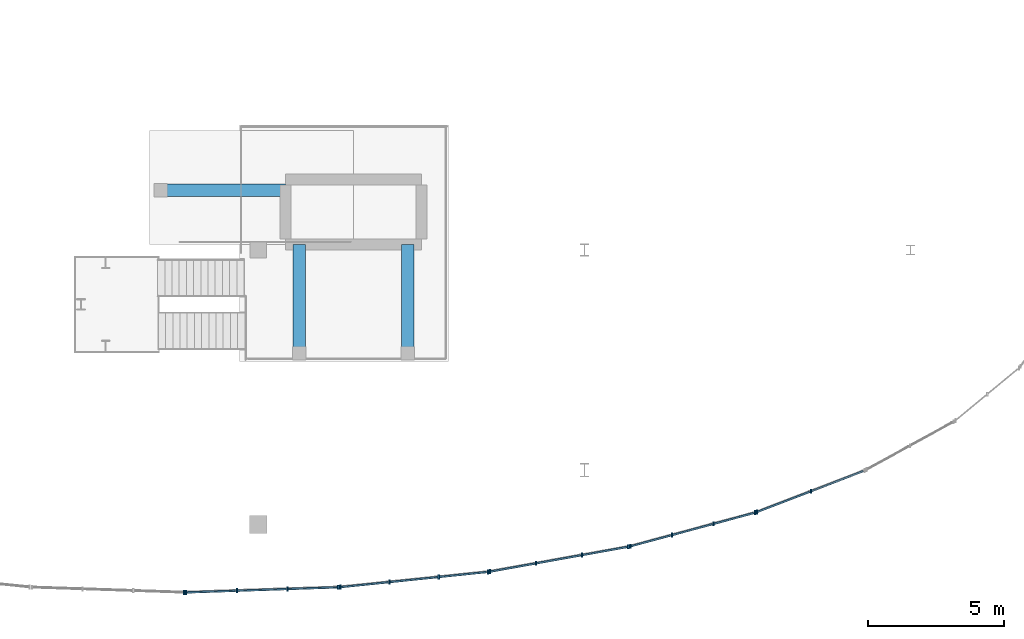
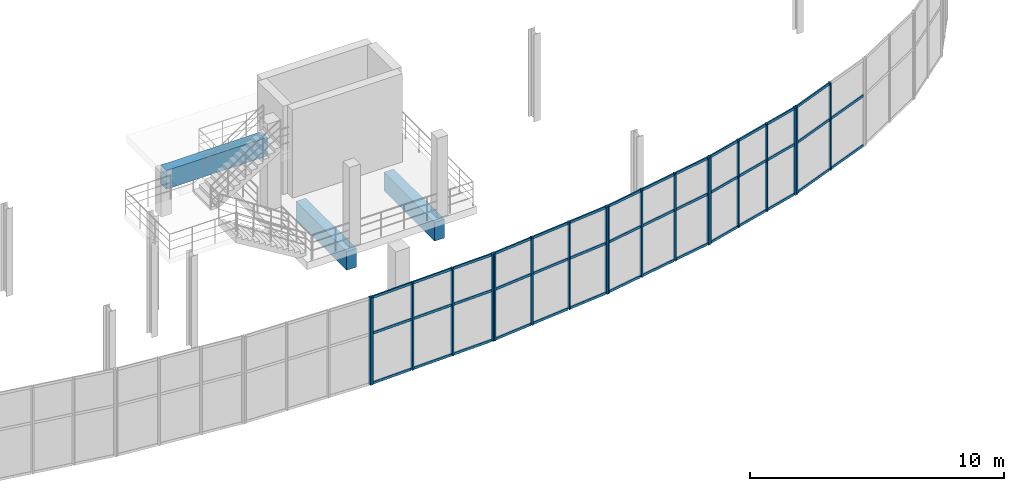
# One storey, part 43 of 89: 60 members, 3 beams, 6 elements without a shape of their own.
"""IFC4 building model written with IfcOpenShell, lengths in metres."""

from ifc_helpers import new_model, si_unit, direction, frame, origin, origin_2d, place, context, subcontext, project, spatial, rectangle, extrude, material, material_profile, profile_set, type_object, element, aggregate, save


model = new_model("IFC4")

# Units and contexts
model_context = context("Model", 3, precision=1e-05, world=origin(), true_north=direction((0.0, 1.0)))
body_context = subcontext(model_context, "Body", "Model", "MODEL_VIEW")
ifc_project = project(units=[si_unit("LENGTHUNIT", "METRE"), si_unit("AREAUNIT", "SQUARE_METRE"), si_unit("VOLUMEUNIT", "CUBIC_METRE"), si_unit("PLANEANGLEUNIT", "RADIAN"), si_unit("MASSUNIT", "GRAM", prefix="KILO"), si_unit("THERMODYNAMICTEMPERATUREUNIT", "KELVIN"), si_unit("POWERUNIT", "WATT")], contexts=[model_context])

# Site, building, storey
site_placement = place(None, origin())
site = spatial("IfcSite", under=ifc_project, at=site_placement, CompositionType="ELEMENT")
building_placement = place(site_placement, origin())
building = spatial("IfcBuilding", under=site, at=building_placement, Name="Solmara Park Aquatics Centre", CompositionType="ELEMENT")
storey_placement = place(building_placement, frame((0.0, 0.0, 5.39990234375)))
storey = spatial("IfcBuildingStorey", under=building, at=storey_placement, Name="L01", CompositionType="ELEMENT", Elevation=5.39990234375)

# Curtain wall, member
ifc_material_1 = material(Name="Anodised Aluminium Curtain Wall Framing", Category="aluminium")
curtain_wall_type = type_object("IfcCurtainWallType", Name="ARC-CW-SYS04", PredefinedType="USERDEFINED", material=ifc_material_1)
curtain_wall_1_placement = place(storey_placement, origin())
curtain_wall_1 = element("IfcCurtainWall", 1, at=curtain_wall_1_placement, inside=storey, type_object=curtain_wall_type, Name="Curtain Wall CW-044", ObjectType="CURTAIN WALL", PredefinedType="USERDEFINED")
ifc_material_2 = material(Name="Anodised Aluminium Alloy 6063-T6", Category="aluminium")
ifc_material_profile_1 = material_profile(ifc_material_2, rectangle(XDim=0.06005859375, YDim=0.159912109375, at=origin_2d()), Name="ALU MULLION 60x160")
ifc_profile_set_1 = profile_set([ifc_material_profile_1], Name="Anodised Aluminium Alloy 6063-T6")
member_type_1 = type_object("IfcMemberType", Name="ARC-CWM-60x160", PredefinedType="MULLION", material=ifc_profile_set_1)
member_1_placement = place(storey_placement, frame((129.260009765625, 0.001220703125, 0.0), z_axis=(0.0, 0.0, 1.0), x_axis=(1.0, 0.0, 0.0)))
member_1 = element("IfcMember", 2, at=member_1_placement, type_object=member_type_1, Name="CW-044 mullion 4", PredefinedType="MULLION", context=body_context, shape_type="SweptSolid", body=[
    extrude(rectangle(XDim=0.06005859375, YDim=0.159912109375, at=origin_2d()), origin(), (0.0, 0.0, 1.0), 4.2001953125),
])
aggregate(curtain_wall_1, [member_1])

# Curtain wall, members
curtain_wall_2_placement = place(storey_placement, origin())
curtain_wall_2 = element("IfcCurtainWall", 3, at=curtain_wall_2_placement, inside=storey, type_object=curtain_wall_type, Name="Curtain Wall CW-047", ObjectType="CURTAIN WALL", PredefinedType="USERDEFINED")
member_2_placement = place(storey_placement, frame((129.340087890625, 0.001220703125, 0.0), z_axis=(0.0, 0.0, 1.0), x_axis=(1.0, 0.0, 0.0)))
member_2 = element("IfcMember", 4, at=member_2_placement, type_object=member_type_1, Name="CW-047 mullion 1", PredefinedType="MULLION", context=body_context, shape_type="SweptSolid", body=[
    extrude(rectangle(XDim=0.06005859375, YDim=0.159912109375, at=origin_2d()), origin(), (0.0, 0.0, 1.0), 4.2001953125),
])
member_3_placement = place(storey_placement, frame((131.2060546875, 0.064208984375, 0.0), z_axis=(0.0, 0.0, 1.0), x_axis=(1.0, 0.0, 0.0)))
member_3 = element("IfcMember", 5, at=member_3_placement, type_object=member_type_1, Name="CW-047 mullion 2", PredefinedType="MULLION", context=body_context, shape_type="SweptSolid", body=[
    extrude(rectangle(XDim=0.06005859375, YDim=0.159912109375, at=origin_2d()), origin(), (0.0, 0.0, 1.0), 4.2001953125),
])
member_4_placement = place(storey_placement, frame((133.072265625, 0.127197265625, 0.0), z_axis=(0.0, 0.0, 1.0), x_axis=(1.0, 0.0, 0.0)))
member_4 = element("IfcMember", 6, at=member_4_placement, type_object=member_type_1, Name="CW-047 mullion 3", PredefinedType="MULLION", context=body_context, shape_type="SweptSolid", body=[
    extrude(rectangle(XDim=0.06005859375, YDim=0.159912109375, at=origin_2d()), origin(), (0.0, 0.0, 1.0), 4.2001953125),
])
member_5_placement = place(storey_placement, frame((134.938232421875, 0.190185546875, 0.0), z_axis=(0.0, 0.0, 1.0), x_axis=(1.0, 0.0, 0.0)))
member_5 = element("IfcMember", 7, at=member_5_placement, type_object=member_type_1, Name="CW-047 mullion 4", PredefinedType="MULLION", context=body_context, shape_type="SweptSolid", body=[
    extrude(rectangle(XDim=0.06005859375, YDim=0.159912109375, at=origin_2d()), origin(), (0.0, 0.0, 1.0), 4.2001953125),
])

curtain_wall_3_placement = place(storey_placement, origin())
curtain_wall_3 = element("IfcCurtainWall", 8, at=curtain_wall_3_placement, inside=storey, type_object=curtain_wall_type, Name="Curtain Wall CW-050", ObjectType="CURTAIN WALL", PredefinedType="USERDEFINED")
member_6_placement = place(storey_placement, frame((135.01806640625, 0.195556640625, 0.0), z_axis=(0.0, 0.0, 1.0), x_axis=(1.0, 0.0, 0.0)))
member_6 = element("IfcMember", 9, at=member_6_placement, type_object=member_type_1, Name="CW-050 mullion 1", PredefinedType="MULLION", context=body_context, shape_type="SweptSolid", body=[
    extrude(rectangle(XDim=0.06005859375, YDim=0.159912109375, at=origin_2d()), origin(), (0.0, 0.0, 1.0), 4.2001953125),
])
member_7_placement = place(storey_placement, frame((136.826904296875, 0.38232421875, 0.0), z_axis=(0.0, 0.0, 1.0), x_axis=(1.0, 0.0, 0.0)))
member_7 = element("IfcMember", 10, at=member_7_placement, type_object=member_type_1, Name="CW-050 mullion 2", PredefinedType="MULLION", context=body_context, shape_type="SweptSolid", body=[
    extrude(rectangle(XDim=0.06005859375, YDim=0.159912109375, at=origin_2d()), origin(), (0.0, 0.0, 1.0), 4.2001953125),
])
member_8_placement = place(storey_placement, frame((138.635498046875, 0.569091796875, 0.0), z_axis=(0.0, 0.0, 1.0), x_axis=(1.0, 0.0, 0.0)))
member_8 = element("IfcMember", 11, at=member_8_placement, type_object=member_type_1, Name="CW-050 mullion 3", PredefinedType="MULLION", context=body_context, shape_type="SweptSolid", body=[
    extrude(rectangle(XDim=0.06005859375, YDim=0.159912109375, at=origin_2d()), origin(), (0.0, 0.0, 1.0), 4.2001953125),
])
member_9_placement = place(storey_placement, frame((140.4443359375, 0.755859375, 0.0), z_axis=(0.0, 0.0, 1.0), x_axis=(1.0, 0.0, 0.0)))
member_9 = element("IfcMember", 12, at=member_9_placement, type_object=member_type_1, Name="CW-050 mullion 4", PredefinedType="MULLION", context=body_context, shape_type="SweptSolid", body=[
    extrude(rectangle(XDim=0.06005859375, YDim=0.159912109375, at=origin_2d()), origin(), (0.0, 0.0, 1.0), 4.2001953125),
])

curtain_wall_4_placement = place(storey_placement, origin())
curtain_wall_4 = element("IfcCurtainWall", 13, at=curtain_wall_4_placement, inside=storey, type_object=curtain_wall_type, Name="Curtain Wall CW-053", ObjectType="CURTAIN WALL", PredefinedType="USERDEFINED")
member_10_placement = place(storey_placement, frame((140.5234375, 0.76708984375, 0.0), z_axis=(0.0, 0.0, 1.0), x_axis=(1.0, 0.0, 0.0)))
member_10 = element("IfcMember", 14, at=member_10_placement, type_object=member_type_1, Name="CW-053 mullion 1", PredefinedType="MULLION", context=body_context, shape_type="SweptSolid", body=[
    extrude(rectangle(XDim=0.06005859375, YDim=0.159912109375, at=origin_2d()), origin(), (0.0, 0.0, 1.0), 4.2001953125),
])
member_11_placement = place(storey_placement, frame((142.21923828125, 1.07177734375, 0.0), z_axis=(0.0, 0.0, 1.0), x_axis=(1.0, 0.0, 0.0)))
member_11 = element("IfcMember", 15, at=member_11_placement, type_object=member_type_1, Name="CW-053 mullion 2", PredefinedType="MULLION", context=body_context, shape_type="SweptSolid", body=[
    extrude(rectangle(XDim=0.06005859375, YDim=0.159912109375, at=origin_2d()), origin(), (0.0, 0.0, 1.0), 4.2001953125),
])
member_12_placement = place(storey_placement, frame((143.914794921875, 1.376220703125, 0.0), z_axis=(0.0, 0.0, 1.0), x_axis=(1.0, 0.0, 0.0)))
member_12 = element("IfcMember", 16, at=member_12_placement, type_object=member_type_1, Name="CW-053 mullion 3", PredefinedType="MULLION", context=body_context, shape_type="SweptSolid", body=[
    extrude(rectangle(XDim=0.06005859375, YDim=0.159912109375, at=origin_2d()), origin(), (0.0, 0.0, 1.0), 4.2001953125),
])
member_13_placement = place(storey_placement, frame((145.610595703125, 1.680908203125, 0.0), z_axis=(0.0, 0.0, 1.0), x_axis=(1.0, 0.0, 0.0)))
member_13 = element("IfcMember", 17, at=member_13_placement, type_object=member_type_1, Name="CW-053 mullion 4", PredefinedType="MULLION", context=body_context, shape_type="SweptSolid", body=[
    extrude(rectangle(XDim=0.06005859375, YDim=0.159912109375, at=origin_2d()), origin(), (0.0, 0.0, 1.0), 4.2001953125),
])

curtain_wall_5_placement = place(storey_placement, origin())
curtain_wall_5 = element("IfcCurtainWall", 18, at=curtain_wall_5_placement, inside=storey, type_object=curtain_wall_type, Name="Curtain Wall CW-056", ObjectType="CURTAIN WALL", PredefinedType="USERDEFINED")
member_14_placement = place(storey_placement, frame((145.688720703125, 1.698486328125, 0.0), z_axis=(0.0, 0.0, 1.0), x_axis=(1.0, 0.0, 0.0)))
member_14 = element("IfcMember", 19, at=member_14_placement, type_object=member_type_1, Name="CW-056 mullion 1", PredefinedType="MULLION", context=body_context, shape_type="SweptSolid", body=[
    extrude(rectangle(XDim=0.06005859375, YDim=0.159912109375, at=origin_2d()), origin(), (0.0, 0.0, 1.0), 4.2001953125),
])
member_15_placement = place(storey_placement, frame((147.21923828125, 2.111572265625, 0.0), z_axis=(0.0, 0.0, 1.0), x_axis=(1.0, 0.0, 0.0)))
member_15 = element("IfcMember", 20, at=member_15_placement, type_object=member_type_1, Name="CW-056 mullion 2", PredefinedType="MULLION", context=body_context, shape_type="SweptSolid", body=[
    extrude(rectangle(XDim=0.06005859375, YDim=0.159912109375, at=origin_2d()), origin(), (0.0, 0.0, 1.0), 4.2001953125),
])
member_16_placement = place(storey_placement, frame((148.75, 2.5244140625, 0.0), z_axis=(0.0, 0.0, 1.0), x_axis=(1.0, 0.0, 0.0)))
member_16 = element("IfcMember", 21, at=member_16_placement, type_object=member_type_1, Name="CW-056 mullion 3", PredefinedType="MULLION", context=body_context, shape_type="SweptSolid", body=[
    extrude(rectangle(XDim=0.06005859375, YDim=0.159912109375, at=origin_2d()), origin(), (0.0, 0.0, 1.0), 4.2001953125),
])
member_17_placement = place(storey_placement, frame((150.280517578125, 2.9375, 0.0), z_axis=(0.0, 0.0, 1.0), x_axis=(1.0, 0.0, 0.0)))
member_17 = element("IfcMember", 22, at=member_17_placement, type_object=member_type_1, Name="CW-056 mullion 4", PredefinedType="MULLION", context=body_context, shape_type="SweptSolid", body=[
    extrude(rectangle(XDim=0.06005859375, YDim=0.159912109375, at=origin_2d()), origin(), (0.0, 0.0, 1.0), 4.2001953125),
])

curtain_wall_6_placement = place(storey_placement, origin())
curtain_wall_6 = element("IfcCurtainWall", 23, at=curtain_wall_6_placement, inside=storey, type_object=curtain_wall_type, Name="Curtain Wall CW-059", ObjectType="CURTAIN WALL", PredefinedType="USERDEFINED")
member_18_placement = place(storey_placement, frame((150.3564453125, 2.962158203125, 0.0), z_axis=(0.0, 0.0, 1.0), x_axis=(1.0, 0.0, 0.0)))
member_18 = element("IfcMember", 24, at=member_18_placement, type_object=member_type_1, Name="CW-059 mullion 1", PredefinedType="MULLION", context=body_context, shape_type="SweptSolid", body=[
    extrude(rectangle(XDim=0.06005859375, YDim=0.159912109375, at=origin_2d()), origin(), (0.0, 0.0, 1.0), 4.2001953125),
])
member_19_placement = place(storey_placement, frame((152.33447265625, 3.724365234375, 0.0), z_axis=(0.0, 0.0, 1.0), x_axis=(1.0, 0.0, 0.0)))
member_19 = element("IfcMember", 25, at=member_19_placement, type_object=member_type_1, Name="CW-059 mullion 2", PredefinedType="MULLION", context=body_context, shape_type="SweptSolid", body=[
    extrude(rectangle(XDim=0.06005859375, YDim=0.159912109375, at=origin_2d()), origin(), (0.0, 0.0, 1.0), 4.2001953125),
])

# Member
ifc_material_profile_2 = material_profile(ifc_material_2, rectangle(XDim=0.06005859375, YDim=0.1201171875, at=origin_2d()), Name="ALU TRANSOM 60x120")
ifc_profile_set_2 = profile_set([ifc_material_profile_2], Name="Anodised Aluminium Alloy 6063-T6")
member_type_2 = type_object("IfcMemberType", Name="ARC-CWT-60x120", PredefinedType="USERDEFINED", material=ifc_profile_set_2)
member_20_placement = place(storey_placement, frame((129.360107421875, 0.001953125, 0.0400390625), z_axis=(0.999430407751, 0.033747000781, 0.0), x_axis=(-0.033747000781, 0.999430407751, 0.0)))
member_20 = element("IfcMember", 26, at=member_20_placement, type_object=member_type_2, Name="CW-047 transom 1", ObjectType="TRANSOM", PredefinedType="USERDEFINED", context=body_context, shape_type="SweptSolid", body=[
    extrude(rectangle(XDim=0.06005859375, YDim=0.1201171875, at=origin_2d()), origin(), (0.0, 0.0, 1.0), 1.786865234375),
])

member_21_placement = place(storey_placement, frame((129.360107421875, 0.001953125, 2.43603515625), z_axis=(0.999430407751, 0.033747000781, 0.0), x_axis=(-0.033747000781, 0.999430407751, 0.0)))
member_21 = element("IfcMember", 27, at=member_21_placement, type_object=member_type_2, Name="CW-047 transom 2", ObjectType="TRANSOM", PredefinedType="USERDEFINED", context=body_context, shape_type="SweptSolid", body=[
    extrude(rectangle(XDim=0.06005859375, YDim=0.1201171875, at=origin_2d()), origin(), (0.0, 0.0, 1.0), 1.786865234375),
])

member_22_placement = place(storey_placement, frame((129.360107421875, 0.001953125, 4.16015625), z_axis=(0.999430407751, 0.033747000781, 0.0), x_axis=(-0.033747000781, 0.999430407751, 0.0)))
member_22 = element("IfcMember", 28, at=member_22_placement, type_object=member_type_2, Name="CW-047 transom 3", ObjectType="TRANSOM", PredefinedType="USERDEFINED", context=body_context, shape_type="SweptSolid", body=[
    extrude(rectangle(XDim=0.06005859375, YDim=0.1201171875, at=origin_2d()), origin(), (0.0, 0.0, 1.0), 1.786865234375),
])

member_23_placement = place(storey_placement, frame((131.22607421875, 0.06494140625, 0.0400390625), z_axis=(0.999435160911, 0.033605938981, 0.0), x_axis=(-0.033605938981, 0.999435160911, 0.0)))
member_23 = element("IfcMember", 29, at=member_23_placement, type_object=member_type_2, Name="CW-047 transom 4", ObjectType="TRANSOM", PredefinedType="USERDEFINED", context=body_context, shape_type="SweptSolid", body=[
    extrude(rectangle(XDim=0.06005859375, YDim=0.1201171875, at=origin_2d()), origin(), (0.0, 0.0, 1.0), 1.787109375),
])

member_24_placement = place(storey_placement, frame((131.22607421875, 0.06494140625, 2.43603515625), z_axis=(0.999435160911, 0.033605938981, 0.0), x_axis=(-0.033605938981, 0.999435160911, 0.0)))
member_24 = element("IfcMember", 30, at=member_24_placement, type_object=member_type_2, Name="CW-047 transom 5", ObjectType="TRANSOM", PredefinedType="USERDEFINED", context=body_context, shape_type="SweptSolid", body=[
    extrude(rectangle(XDim=0.06005859375, YDim=0.1201171875, at=origin_2d()), origin(), (0.0, 0.0, 1.0), 1.787109375),
])

member_25_placement = place(storey_placement, frame((131.22607421875, 0.06494140625, 4.16015625), z_axis=(0.999435160911, 0.033605938981, 0.0), x_axis=(-0.033605938981, 0.999435160911, 0.0)))
member_25 = element("IfcMember", 31, at=member_25_placement, type_object=member_type_2, Name="CW-047 transom 6", ObjectType="TRANSOM", PredefinedType="USERDEFINED", context=body_context, shape_type="SweptSolid", body=[
    extrude(rectangle(XDim=0.06005859375, YDim=0.1201171875, at=origin_2d()), origin(), (0.0, 0.0, 1.0), 1.787109375),
])

member_26_placement = place(storey_placement, frame((133.09228515625, 0.127685546875, 0.0400390625), z_axis=(0.999430563319, 0.033742393267, 0.0), x_axis=(-0.033742393267, 0.999430563319, 0.0)))
member_26 = element("IfcMember", 32, at=member_26_placement, type_object=member_type_2, Name="CW-047 transom 7", ObjectType="TRANSOM", PredefinedType="USERDEFINED", context=body_context, shape_type="SweptSolid", body=[
    extrude(rectangle(XDim=0.06005859375, YDim=0.1201171875, at=origin_2d()), origin(), (0.0, 0.0, 1.0), 1.787109375),
])

member_27_placement = place(storey_placement, frame((133.09228515625, 0.127685546875, 2.43603515625), z_axis=(0.999430563319, 0.033742393267, 0.0), x_axis=(-0.033742393267, 0.999430563319, 0.0)))
member_27 = element("IfcMember", 33, at=member_27_placement, type_object=member_type_2, Name="CW-047 transom 8", ObjectType="TRANSOM", PredefinedType="USERDEFINED", context=body_context, shape_type="SweptSolid", body=[
    extrude(rectangle(XDim=0.06005859375, YDim=0.1201171875, at=origin_2d()), origin(), (0.0, 0.0, 1.0), 1.787109375),
])

member_28_placement = place(storey_placement, frame((133.09228515625, 0.127685546875, 4.16015625), z_axis=(0.999430563319, 0.033742393267, 0.0), x_axis=(-0.033742393267, 0.999430563319, 0.0)))
member_28 = element("IfcMember", 34, at=member_28_placement, type_object=member_type_2, Name="CW-047 transom 9", ObjectType="TRANSOM", PredefinedType="USERDEFINED", context=body_context, shape_type="SweptSolid", body=[
    extrude(rectangle(XDim=0.06005859375, YDim=0.1201171875, at=origin_2d()), origin(), (0.0, 0.0, 1.0), 1.787109375),
])

aggregate(curtain_wall_2, [member_2, member_3, member_4, member_5, member_20, member_21, member_22, member_23, member_24, member_25, member_26, member_27, member_28])

member_29_placement = place(storey_placement, frame((135.0380859375, 0.197509765625, 0.0400390625), z_axis=(0.994700713096, 0.102812894943, 0.0), x_axis=(-0.102812894943, 0.994700713096, 0.0)))
member_29 = element("IfcMember", 35, at=member_29_placement, type_object=member_type_2, Name="CW-050 transom 1", ObjectType="TRANSOM", PredefinedType="USERDEFINED", context=body_context, shape_type="SweptSolid", body=[
    extrude(rectangle(XDim=0.06005859375, YDim=0.1201171875, at=origin_2d()), origin(), (0.0, 0.0, 1.0), 1.73828125),
])

member_30_placement = place(storey_placement, frame((135.0380859375, 0.197509765625, 2.43603515625), z_axis=(0.994700713096, 0.102812894943, 0.0), x_axis=(-0.102812894943, 0.994700713096, 0.0)))
member_30 = element("IfcMember", 36, at=member_30_placement, type_object=member_type_2, Name="CW-050 transom 2", ObjectType="TRANSOM", PredefinedType="USERDEFINED", context=body_context, shape_type="SweptSolid", body=[
    extrude(rectangle(XDim=0.06005859375, YDim=0.1201171875, at=origin_2d()), origin(), (0.0, 0.0, 1.0), 1.73828125),
])

member_31_placement = place(storey_placement, frame((135.0380859375, 0.197509765625, 4.16015625), z_axis=(0.994700713096, 0.102812894943, 0.0), x_axis=(-0.102812894943, 0.994700713096, 0.0)))
member_31 = element("IfcMember", 37, at=member_31_placement, type_object=member_type_2, Name="CW-050 transom 3", ObjectType="TRANSOM", PredefinedType="USERDEFINED", context=body_context, shape_type="SweptSolid", body=[
    extrude(rectangle(XDim=0.06005859375, YDim=0.1201171875, at=origin_2d()), origin(), (0.0, 0.0, 1.0), 1.73828125),
])

member_32_placement = place(storey_placement, frame((136.8466796875, 0.38427734375, 0.0400390625), z_axis=(0.994702197461, 0.102798532901, 0.0), x_axis=(-0.102798532901, 0.994702197461, 0.0)))
member_32 = element("IfcMember", 38, at=member_32_placement, type_object=member_type_2, Name="CW-050 transom 4", ObjectType="TRANSOM", PredefinedType="USERDEFINED", context=body_context, shape_type="SweptSolid", body=[
    extrude(rectangle(XDim=0.06005859375, YDim=0.1201171875, at=origin_2d()), origin(), (0.0, 0.0, 1.0), 1.738525390625),
])

member_33_placement = place(storey_placement, frame((136.8466796875, 0.38427734375, 2.43603515625), z_axis=(0.994702197461, 0.102798532901, 0.0), x_axis=(-0.102798532901, 0.994702197461, 0.0)))
member_33 = element("IfcMember", 39, at=member_33_placement, type_object=member_type_2, Name="CW-050 transom 5", ObjectType="TRANSOM", PredefinedType="USERDEFINED", context=body_context, shape_type="SweptSolid", body=[
    extrude(rectangle(XDim=0.06005859375, YDim=0.1201171875, at=origin_2d()), origin(), (0.0, 0.0, 1.0), 1.738525390625),
])

member_34_placement = place(storey_placement, frame((136.8466796875, 0.38427734375, 4.16015625), z_axis=(0.994702197461, 0.102798532901, 0.0), x_axis=(-0.102798532901, 0.994702197461, 0.0)))
member_34 = element("IfcMember", 40, at=member_34_placement, type_object=member_type_2, Name="CW-050 transom 6", ObjectType="TRANSOM", PredefinedType="USERDEFINED", context=body_context, shape_type="SweptSolid", body=[
    extrude(rectangle(XDim=0.06005859375, YDim=0.1201171875, at=origin_2d()), origin(), (0.0, 0.0, 1.0), 1.738525390625),
])

member_35_placement = place(storey_placement, frame((138.655517578125, 0.571044921875, 0.0400390625), z_axis=(0.994715067632, 0.102673921836, 0.0), x_axis=(-0.102673921836, 0.994715067632, 0.0)))
member_35 = element("IfcMember", 41, at=member_35_placement, type_object=member_type_2, Name="CW-050 transom 7", ObjectType="TRANSOM", PredefinedType="USERDEFINED", context=body_context, shape_type="SweptSolid", body=[
    extrude(rectangle(XDim=0.06005859375, YDim=0.1201171875, at=origin_2d()), origin(), (0.0, 0.0, 1.0), 1.73828125),
])

member_36_placement = place(storey_placement, frame((138.655517578125, 0.571044921875, 2.43603515625), z_axis=(0.994715067632, 0.102673921836, 0.0), x_axis=(-0.102673921836, 0.994715067632, 0.0)))
member_36 = element("IfcMember", 42, at=member_36_placement, type_object=member_type_2, Name="CW-050 transom 8", ObjectType="TRANSOM", PredefinedType="USERDEFINED", context=body_context, shape_type="SweptSolid", body=[
    extrude(rectangle(XDim=0.06005859375, YDim=0.1201171875, at=origin_2d()), origin(), (0.0, 0.0, 1.0), 1.73828125),
])

member_37_placement = place(storey_placement, frame((138.655517578125, 0.571044921875, 4.16015625), z_axis=(0.994715067632, 0.102673921836, 0.0), x_axis=(-0.102673921836, 0.994715067632, 0.0)))
member_37 = element("IfcMember", 43, at=member_37_placement, type_object=member_type_2, Name="CW-050 transom 9", ObjectType="TRANSOM", PredefinedType="USERDEFINED", context=body_context, shape_type="SweptSolid", body=[
    extrude(rectangle(XDim=0.06005859375, YDim=0.1201171875, at=origin_2d()), origin(), (0.0, 0.0, 1.0), 1.73828125),
])

aggregate(curtain_wall_3, [member_6, member_7, member_8, member_9, member_29, member_30, member_31, member_32, member_33, member_34, member_35, member_36, member_37])

member_38_placement = place(storey_placement, frame((140.543212890625, 0.7705078125, 0.0400390625), z_axis=(0.984238723522, 0.176844946549, 0.0), x_axis=(-0.176844946549, 0.984238723522, 0.0)))
member_38 = element("IfcMember", 44, at=member_38_placement, type_object=member_type_2, Name="CW-053 transom 1", ObjectType="TRANSOM", PredefinedType="USERDEFINED", context=body_context, shape_type="SweptSolid", body=[
    extrude(rectangle(XDim=0.06005859375, YDim=0.1201171875, at=origin_2d()), origin(), (0.0, 0.0, 1.0), 1.642822265625),
])

member_39_placement = place(storey_placement, frame((140.543212890625, 0.7705078125, 2.43603515625), z_axis=(0.984238723522, 0.176844946549, 0.0), x_axis=(-0.176844946549, 0.984238723522, 0.0)))
member_39 = element("IfcMember", 45, at=member_39_placement, type_object=member_type_2, Name="CW-053 transom 2", ObjectType="TRANSOM", PredefinedType="USERDEFINED", context=body_context, shape_type="SweptSolid", body=[
    extrude(rectangle(XDim=0.06005859375, YDim=0.1201171875, at=origin_2d()), origin(), (0.0, 0.0, 1.0), 1.642822265625),
])

member_40_placement = place(storey_placement, frame((140.543212890625, 0.7705078125, 4.16015625), z_axis=(0.984238723522, 0.176844946549, 0.0), x_axis=(-0.176844946549, 0.984238723522, 0.0)))
member_40 = element("IfcMember", 46, at=member_40_placement, type_object=member_type_2, Name="CW-053 transom 3", ObjectType="TRANSOM", PredefinedType="USERDEFINED", context=body_context, shape_type="SweptSolid", body=[
    extrude(rectangle(XDim=0.06005859375, YDim=0.1201171875, at=origin_2d()), origin(), (0.0, 0.0, 1.0), 1.642822265625),
])

member_41_placement = place(storey_placement, frame((142.239013671875, 1.0751953125, 0.0400390625), z_axis=(0.984238723522, 0.176844946549, 0.0), x_axis=(-0.176844946549, 0.984238723522, 0.0)))
member_41 = element("IfcMember", 47, at=member_41_placement, type_object=member_type_2, Name="CW-053 transom 4", ObjectType="TRANSOM", PredefinedType="USERDEFINED", context=body_context, shape_type="SweptSolid", body=[
    extrude(rectangle(XDim=0.06005859375, YDim=0.1201171875, at=origin_2d()), origin(), (0.0, 0.0, 1.0), 1.642822265625),
])

member_42_placement = place(storey_placement, frame((142.239013671875, 1.0751953125, 2.43603515625), z_axis=(0.984238723522, 0.176844946549, 0.0), x_axis=(-0.176844946549, 0.984238723522, 0.0)))
member_42 = element("IfcMember", 48, at=member_42_placement, type_object=member_type_2, Name="CW-053 transom 5", ObjectType="TRANSOM", PredefinedType="USERDEFINED", context=body_context, shape_type="SweptSolid", body=[
    extrude(rectangle(XDim=0.06005859375, YDim=0.1201171875, at=origin_2d()), origin(), (0.0, 0.0, 1.0), 1.642822265625),
])

member_43_placement = place(storey_placement, frame((142.239013671875, 1.0751953125, 4.16015625), z_axis=(0.984238723522, 0.176844946549, 0.0), x_axis=(-0.176844946549, 0.984238723522, 0.0)))
member_43 = element("IfcMember", 49, at=member_43_placement, type_object=member_type_2, Name="CW-053 transom 6", ObjectType="TRANSOM", PredefinedType="USERDEFINED", context=body_context, shape_type="SweptSolid", body=[
    extrude(rectangle(XDim=0.06005859375, YDim=0.1201171875, at=origin_2d()), origin(), (0.0, 0.0, 1.0), 1.642822265625),
])

member_44_placement = place(storey_placement, frame((143.9345703125, 1.3798828125, 0.0400390625), z_axis=(0.984238723522, 0.176844946549, 0.0), x_axis=(-0.176844946549, 0.984238723522, 0.0)))
member_44 = element("IfcMember", 50, at=member_44_placement, type_object=member_type_2, Name="CW-053 transom 7", ObjectType="TRANSOM", PredefinedType="USERDEFINED", context=body_context, shape_type="SweptSolid", body=[
    extrude(rectangle(XDim=0.06005859375, YDim=0.1201171875, at=origin_2d()), origin(), (0.0, 0.0, 1.0), 1.642822265625),
])

member_45_placement = place(storey_placement, frame((143.9345703125, 1.3798828125, 2.43603515625), z_axis=(0.984238723522, 0.176844946549, 0.0), x_axis=(-0.176844946549, 0.984238723522, 0.0)))
member_45 = element("IfcMember", 51, at=member_45_placement, type_object=member_type_2, Name="CW-053 transom 8", ObjectType="TRANSOM", PredefinedType="USERDEFINED", context=body_context, shape_type="SweptSolid", body=[
    extrude(rectangle(XDim=0.06005859375, YDim=0.1201171875, at=origin_2d()), origin(), (0.0, 0.0, 1.0), 1.642822265625),
])

member_46_placement = place(storey_placement, frame((143.9345703125, 1.3798828125, 4.16015625), z_axis=(0.984238723522, 0.176844946549, 0.0), x_axis=(-0.176844946549, 0.984238723522, 0.0)))
member_46 = element("IfcMember", 52, at=member_46_placement, type_object=member_type_2, Name="CW-053 transom 9", ObjectType="TRANSOM", PredefinedType="USERDEFINED", context=body_context, shape_type="SweptSolid", body=[
    extrude(rectangle(XDim=0.06005859375, YDim=0.1201171875, at=origin_2d()), origin(), (0.0, 0.0, 1.0), 1.642822265625),
])

aggregate(curtain_wall_4, [member_10, member_11, member_12, member_13, member_38, member_39, member_40, member_41, member_42, member_43, member_44, member_45, member_46])

member_47_placement = place(storey_placement, frame((145.7080078125, 1.70361328125, 0.0400390625), z_axis=(0.965482529069, 0.26046782155, 0.0), x_axis=(-0.26046782155, 0.965482529069, 0.0)))
member_47 = element("IfcMember", 53, at=member_47_placement, type_object=member_type_2, Name="CW-056 transom 1", ObjectType="TRANSOM", PredefinedType="USERDEFINED", context=body_context, shape_type="SweptSolid", body=[
    extrude(rectangle(XDim=0.06005859375, YDim=0.1201171875, at=origin_2d()), origin(), (0.0, 0.0, 1.0), 1.50537109375),
])

member_48_placement = place(storey_placement, frame((145.7080078125, 1.70361328125, 2.43603515625), z_axis=(0.965482529069, 0.26046782155, 0.0), x_axis=(-0.26046782155, 0.965482529069, 0.0)))
member_48 = element("IfcMember", 54, at=member_48_placement, type_object=member_type_2, Name="CW-056 transom 2", ObjectType="TRANSOM", PredefinedType="USERDEFINED", context=body_context, shape_type="SweptSolid", body=[
    extrude(rectangle(XDim=0.06005859375, YDim=0.1201171875, at=origin_2d()), origin(), (0.0, 0.0, 1.0), 1.50537109375),
])

member_49_placement = place(storey_placement, frame((145.7080078125, 1.70361328125, 4.16015625), z_axis=(0.965482529069, 0.26046782155, 0.0), x_axis=(-0.26046782155, 0.965482529069, 0.0)))
member_49 = element("IfcMember", 55, at=member_49_placement, type_object=member_type_2, Name="CW-056 transom 3", ObjectType="TRANSOM", PredefinedType="USERDEFINED", context=body_context, shape_type="SweptSolid", body=[
    extrude(rectangle(XDim=0.06005859375, YDim=0.1201171875, at=origin_2d()), origin(), (0.0, 0.0, 1.0), 1.50537109375),
])

member_50_placement = place(storey_placement, frame((147.238525390625, 2.11669921875, 0.0400390625), z_axis=(0.965482529069, 0.26046782155, 0.0), x_axis=(-0.26046782155, 0.965482529069, 0.0)))
member_50 = element("IfcMember", 56, at=member_50_placement, type_object=member_type_2, Name="CW-056 transom 4", ObjectType="TRANSOM", PredefinedType="USERDEFINED", context=body_context, shape_type="SweptSolid", body=[
    extrude(rectangle(XDim=0.06005859375, YDim=0.1201171875, at=origin_2d()), origin(), (0.0, 0.0, 1.0), 1.50537109375),
])

member_51_placement = place(storey_placement, frame((147.238525390625, 2.11669921875, 2.43603515625), z_axis=(0.965482529069, 0.26046782155, 0.0), x_axis=(-0.26046782155, 0.965482529069, 0.0)))
member_51 = element("IfcMember", 57, at=member_51_placement, type_object=member_type_2, Name="CW-056 transom 5", ObjectType="TRANSOM", PredefinedType="USERDEFINED", context=body_context, shape_type="SweptSolid", body=[
    extrude(rectangle(XDim=0.06005859375, YDim=0.1201171875, at=origin_2d()), origin(), (0.0, 0.0, 1.0), 1.50537109375),
])

member_52_placement = place(storey_placement, frame((147.238525390625, 2.11669921875, 4.16015625), z_axis=(0.965482529069, 0.26046782155, 0.0), x_axis=(-0.26046782155, 0.965482529069, 0.0)))
member_52 = element("IfcMember", 58, at=member_52_placement, type_object=member_type_2, Name="CW-056 transom 6", ObjectType="TRANSOM", PredefinedType="USERDEFINED", context=body_context, shape_type="SweptSolid", body=[
    extrude(rectangle(XDim=0.06005859375, YDim=0.1201171875, at=origin_2d()), origin(), (0.0, 0.0, 1.0), 1.50537109375),
])

member_53_placement = place(storey_placement, frame((148.769287109375, 2.529541015625, 0.0400390625), z_axis=(0.96544173334, 0.260618993025, 0.0), x_axis=(-0.260618993025, 0.96544173334, 0.0)))
member_53 = element("IfcMember", 59, at=member_53_placement, type_object=member_type_2, Name="CW-056 transom 7", ObjectType="TRANSOM", PredefinedType="USERDEFINED", context=body_context, shape_type="SweptSolid", body=[
    extrude(rectangle(XDim=0.06005859375, YDim=0.1201171875, at=origin_2d()), origin(), (0.0, 0.0, 1.0), 1.50537109375),
])

member_54_placement = place(storey_placement, frame((148.769287109375, 2.529541015625, 2.43603515625), z_axis=(0.96544173334, 0.260618993025, 0.0), x_axis=(-0.260618993025, 0.96544173334, 0.0)))
member_54 = element("IfcMember", 60, at=member_54_placement, type_object=member_type_2, Name="CW-056 transom 8", ObjectType="TRANSOM", PredefinedType="USERDEFINED", context=body_context, shape_type="SweptSolid", body=[
    extrude(rectangle(XDim=0.06005859375, YDim=0.1201171875, at=origin_2d()), origin(), (0.0, 0.0, 1.0), 1.50537109375),
])

member_55_placement = place(storey_placement, frame((148.769287109375, 2.529541015625, 4.16015625), z_axis=(0.96544173334, 0.260618993025, 0.0), x_axis=(-0.260618993025, 0.96544173334, 0.0)))
member_55 = element("IfcMember", 61, at=member_55_placement, type_object=member_type_2, Name="CW-056 transom 9", ObjectType="TRANSOM", PredefinedType="USERDEFINED", context=body_context, shape_type="SweptSolid", body=[
    extrude(rectangle(XDim=0.06005859375, YDim=0.1201171875, at=origin_2d()), origin(), (0.0, 0.0, 1.0), 1.50537109375),
])

aggregate(curtain_wall_5, [member_14, member_15, member_16, member_17, member_47, member_48, member_49, member_50, member_51, member_52, member_53, member_54, member_55])

member_56_placement = place(storey_placement, frame((150.375244140625, 2.969482421875, 0.0400390625), z_axis=(0.933123317616, 0.359556496424, 0.0), x_axis=(-0.359556496424, 0.933123317616, 0.0)))
member_56 = element("IfcMember", 62, at=member_56_placement, type_object=member_type_2, Name="CW-059 transom 1", ObjectType="TRANSOM", PredefinedType="USERDEFINED", context=body_context, shape_type="SweptSolid", body=[
    extrude(rectangle(XDim=0.06005859375, YDim=0.1201171875, at=origin_2d()), origin(), (0.0, 0.0, 1.0), 2.039794921875),
])

member_57_placement = place(storey_placement, frame((150.375244140625, 2.969482421875, 2.43603515625), z_axis=(0.933123317616, 0.359556496424, 0.0), x_axis=(-0.359556496424, 0.933123317616, 0.0)))
member_57 = element("IfcMember", 63, at=member_57_placement, type_object=member_type_2, Name="CW-059 transom 2", ObjectType="TRANSOM", PredefinedType="USERDEFINED", context=body_context, shape_type="SweptSolid", body=[
    extrude(rectangle(XDim=0.06005859375, YDim=0.1201171875, at=origin_2d()), origin(), (0.0, 0.0, 1.0), 2.039794921875),
])

member_58_placement = place(storey_placement, frame((150.375244140625, 2.969482421875, 4.16015625), z_axis=(0.933123317616, 0.359556496424, 0.0), x_axis=(-0.359556496424, 0.933123317616, 0.0)))
member_58 = element("IfcMember", 64, at=member_58_placement, type_object=member_type_2, Name="CW-059 transom 3", ObjectType="TRANSOM", PredefinedType="USERDEFINED", context=body_context, shape_type="SweptSolid", body=[
    extrude(rectangle(XDim=0.06005859375, YDim=0.1201171875, at=origin_2d()), origin(), (0.0, 0.0, 1.0), 2.039794921875),
])

member_59_placement = place(storey_placement, frame((152.35302734375, 3.7314453125, 0.0400390625), z_axis=(0.933123317616, 0.359556496424, 0.0), x_axis=(-0.359556496424, 0.933123317616, 0.0)))
member_59 = element("IfcMember", 65, at=member_59_placement, type_object=member_type_2, Name="CW-059 transom 4", ObjectType="TRANSOM", PredefinedType="USERDEFINED", context=body_context, shape_type="SweptSolid", body=[
    extrude(rectangle(XDim=0.06005859375, YDim=0.1201171875, at=origin_2d()), origin(), (0.0, 0.0, 1.0), 2.039794921875),
])

member_60_placement = place(storey_placement, frame((152.35302734375, 3.7314453125, 2.43603515625), z_axis=(0.933123317616, 0.359556496424, 0.0), x_axis=(-0.359556496424, 0.933123317616, 0.0)))
member_60 = element("IfcMember", 66, at=member_60_placement, type_object=member_type_2, Name="CW-059 transom 5", ObjectType="TRANSOM", PredefinedType="USERDEFINED", context=body_context, shape_type="SweptSolid", body=[
    extrude(rectangle(XDim=0.06005859375, YDim=0.1201171875, at=origin_2d()), origin(), (0.0, 0.0, 1.0), 2.039794921875),
])

aggregate(curtain_wall_6, [member_18, member_19, member_56, member_57, member_58, member_59, member_60])

# Beams
ifc_material_3 = material(Name="Concrete C40/50", Category="concrete")
ifc_material_profile_3 = material_profile(ifc_material_3, rectangle(XDim=0.449951171875, YDim=0.89990234375, at=origin_2d()), Name="RC 450x900")
ifc_profile_set_3 = profile_set([ifc_material_profile_3], Name="Concrete C40/50")
beam_type = type_object("IfcBeamType", Name="STR-BM-RC450x900", PredefinedType="BEAM", material=ifc_profile_set_3)
for number, where, z_axis, x_axis, name in (
    (67, (133.5, 8.800048828125, -0.809814453125), (0.0, 1.0, 0.0), (-1.0, 0.0, 0.0), "Diving Platform Support Beam SLB-DIV-5M-1"),
    (68, (137.5, 8.800048828125, -0.809814453125), (0.0, 1.0, 0.0), (-1.0, 0.0, 0.0), "Diving Platform Support Beam SLB-DIV-5M-2"),
):
    element("IfcBeam", number, at=place(storey_placement, frame(where, z_axis=z_axis, x_axis=x_axis)), inside=storey, type_object=beam_type, Name=name, PredefinedType="BEAM", context=body_context, shape_type="SweptSolid", body=[
        extrude(rectangle(XDim=0.449951171875, YDim=0.89990234375, at=origin_2d()), origin(), (0.0, 0.0, 1.0), 4.0),
    ])
beam_placement = place(storey_placement, frame((128.39990234375, 14.800048828125, 1.2900390625), z_axis=(1.0, 0.0, 0.0), x_axis=(0.0, 1.0, 0.0)))
element("IfcBeam", 69, at=beam_placement, inside=storey, type_object=beam_type, Name="Diving Platform Support Beam SLB-DIV-7M5", PredefinedType="BEAM", context=body_context, shape_type="SweptSolid", body=[
    extrude(rectangle(XDim=0.449951171875, YDim=0.89990234375, at=origin_2d()), origin(), (0.0, 0.0, 1.0), 4.60009765625),
])

save(model, "model.ifc")
